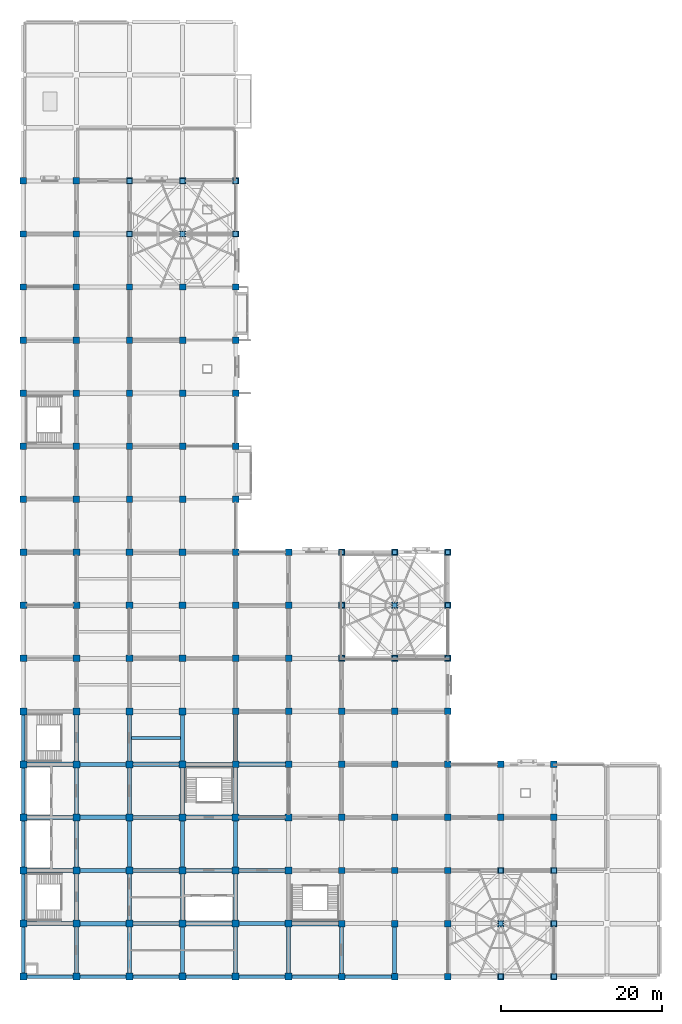
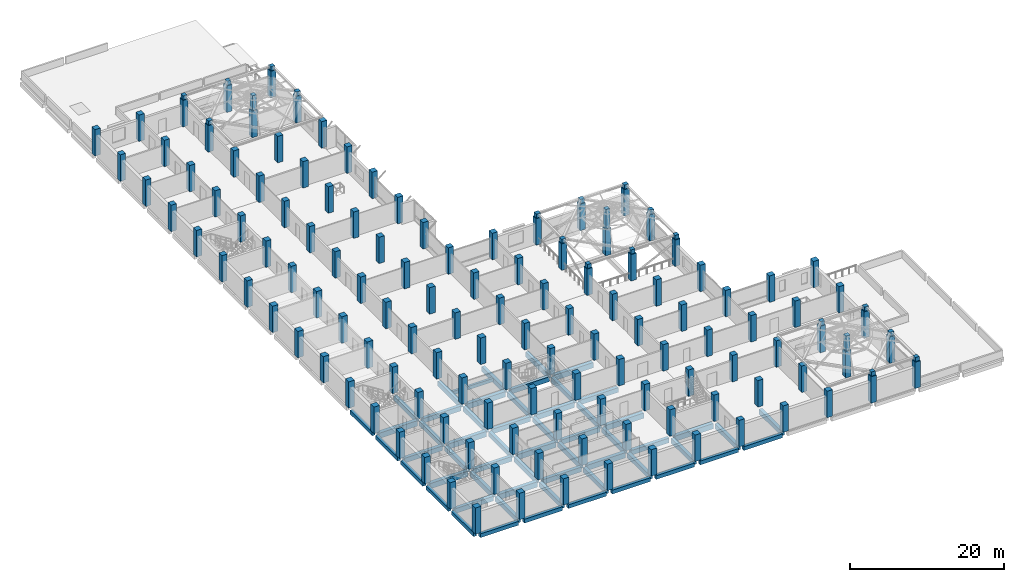
# One storey, part 1 of 25: 147 columns, 57 beams.
"""IFC4 building model written with IfcOpenShell, lengths in metres."""

from ifc_helpers import new_model, si_unit, direction, frame, origin, origin_2d, place, context, subcontext, project, spatial, rectangle, extrude, material, material_profile, profile_set, type_object, element, save


model = new_model("IFC4")

# Units and contexts
model_context = context("Model", 3, precision=1e-05, world=origin(), true_north=direction((0.0, 1.0)))
body_context = subcontext(model_context, "Body", "Model", "MODEL_VIEW")
ifc_project = project(units=[si_unit("LENGTHUNIT", "METRE"), si_unit("AREAUNIT", "SQUARE_METRE"), si_unit("VOLUMEUNIT", "CUBIC_METRE"), si_unit("PLANEANGLEUNIT", "RADIAN"), si_unit("MASSUNIT", "GRAM", prefix="KILO")], contexts=[model_context])

# Site, building, storey
site_placement = place(None, origin())
site = spatial("IfcSite", under=ifc_project, at=site_placement, CompositionType="ELEMENT")
building_placement = place(site_placement, origin())
building = spatial("IfcBuilding", under=site, at=building_placement, Name="Rusizi Kubbe Research Institute", CompositionType="ELEMENT")
storey_placement = place(building_placement, frame((0.0, 0.0, 14.39990234375)))
storey = spatial("IfcBuildingStorey", under=building, at=storey_placement, Name="L03", CompositionType="ELEMENT", Elevation=14.39990234375)

# Columns
ifc_material_1 = material(Name="Concrete C40/50", Category="concrete")
ifc_material_profile_1 = material_profile(ifc_material_1, rectangle(XDim=0.60009765625, YDim=0.60009765625, at=origin_2d()), Name="RC600x600")
ifc_profile_set_1 = profile_set([ifc_material_profile_1], Name="Concrete C40/50")
column_type_1 = type_object("IfcColumnType", Name="COL-600", PredefinedType="COLUMN", material=ifc_profile_set_1)
for number, where, z_axis, x_axis, name in (
    (1, (39.60009765625, 39.60009765625, 4.2001953125), (0.0, 0.0, 1.0), (1.0, 0.0, 0.0), "Kubbe Drum Pedestal Column DOME-ATR-01"),
    (2, (46.199951171875, 39.60009765625, 4.2001953125), (0.0, 0.0, 1.0), (1.0, 0.0, 0.0), "Kubbe Drum Pedestal Column DOME-ATR-02"),
    (3, (52.800048828125, 39.60009765625, 4.2001953125), (0.0, 0.0, 1.0), (1.0, 0.0, 0.0), "Kubbe Drum Pedestal Column DOME-ATR-03"),
    (4, (52.800048828125, 46.199951171875, 4.2001953125), (0.0, 0.0, 1.0), (1.0, 0.0, 0.0), "Kubbe Drum Pedestal Column DOME-ATR-04"),
    (5, (52.800048828125, 52.800048828125, 4.2001953125), (0.0, 0.0, 1.0), (1.0, 0.0, 0.0), "Kubbe Drum Pedestal Column DOME-ATR-05"),
    (6, (46.199951171875, 52.800048828125, 4.2001953125), (0.0, 0.0, 1.0), (1.0, 0.0, 0.0), "Kubbe Drum Pedestal Column DOME-ATR-06"),
    (7, (39.60009765625, 52.800048828125, 4.2001953125), (0.0, 0.0, 1.0), (1.0, 0.0, 0.0), "Kubbe Drum Pedestal Column DOME-ATR-07"),
    (8, (39.60009765625, 46.199951171875, 4.2001953125), (0.0, 0.0, 1.0), (1.0, 0.0, 0.0), "Kubbe Drum Pedestal Column DOME-ATR-08"),
):
    element("IfcColumn", number, at=place(storey_placement, frame(where, z_axis=z_axis, x_axis=x_axis)), inside=storey, type_object=column_type_1, Name=name, PredefinedType="COLUMN", context=body_context, shape_type="SweptSolid", body=[
        extrude(rectangle(XDim=0.60009765625, YDim=0.60009765625, at=origin_2d()), origin(), (0.0, 0.0, 1.0), 0.64990234375),
    ])
column_1_placement = place(storey_placement, frame((46.199951171875, 46.199951171875, 4.2001953125), z_axis=(0.0, 0.0, 1.0), x_axis=(1.0, 0.0, 0.0)))
element("IfcColumn", 9, at=column_1_placement, inside=storey, type_object=column_type_1, Name="Kubbe Central King-Post DOME-ATR", PredefinedType="COLUMN", context=body_context, shape_type="SweptSolid", body=[
    extrude(rectangle(XDim=0.60009765625, YDim=0.60009765625, at=origin_2d()), origin(), (0.0, 0.0, 1.0), 3.059814453125),
])
for number, where, z_axis, x_axis, name in (
    (10, (26.39990234375, 92.39990234375, 4.2001953125), (0.0, 0.0, 1.0), (1.0, 0.0, 0.0), "Kubbe Drum Pedestal Column DOME-NP1-04"),
    (11, (26.39990234375, 99.0, 4.2001953125), (0.0, 0.0, 1.0), (1.0, 0.0, 0.0), "Kubbe Drum Pedestal Column DOME-NP1-05"),
    (12, (19.800048828125, 99.0, 4.2001953125), (0.0, 0.0, 1.0), (1.0, 0.0, 0.0), "Kubbe Drum Pedestal Column DOME-NP1-06"),
    (13, (13.199951171875, 99.0, 4.2001953125), (0.0, 0.0, 1.0), (1.0, 0.0, 0.0), "Kubbe Drum Pedestal Column DOME-NP1-07"),
    (14, (13.199951171875, 92.39990234375, 4.2001953125), (0.0, 0.0, 1.0), (1.0, 0.0, 0.0), "Kubbe Drum Pedestal Column DOME-NP1-08"),
):
    element("IfcColumn", number, at=place(storey_placement, frame(where, z_axis=z_axis, x_axis=x_axis)), inside=storey, type_object=column_type_1, Name=name, PredefinedType="COLUMN", context=body_context, shape_type="SweptSolid", body=[
        extrude(rectangle(XDim=0.60009765625, YDim=0.60009765625, at=origin_2d()), origin(), (0.0, 0.0, 1.0), 0.64990234375),
    ])
column_2_placement = place(storey_placement, frame((19.800048828125, 92.39990234375, 4.2001953125), z_axis=(0.0, 0.0, 1.0), x_axis=(1.0, 0.0, 0.0)))
element("IfcColumn", 15, at=column_2_placement, inside=storey, type_object=column_type_1, Name="Kubbe Central King-Post DOME-NP1", PredefinedType="COLUMN", context=body_context, shape_type="SweptSolid", body=[
    extrude(rectangle(XDim=0.60009765625, YDim=0.60009765625, at=origin_2d()), origin(), (0.0, 0.0, 1.0), 2.35986328125),
])
for number, where, z_axis, x_axis, name in (
    (16, (59.39990234375, 0.0, 4.2001953125), (0.0, 0.0, 1.0), (1.0, 0.0, 0.0), "Kubbe Drum Pedestal Column DOME-EP1-02"),
    (17, (66.0, 0.0, 4.2001953125), (0.0, 0.0, 1.0), (1.0, 0.0, 0.0), "Kubbe Drum Pedestal Column DOME-EP1-03"),
    (18, (66.0, 6.60009765625, 4.2001953125), (0.0, 0.0, 1.0), (1.0, 0.0, 0.0), "Kubbe Drum Pedestal Column DOME-EP1-04"),
    (19, (66.0, 13.199951171875, 4.2001953125), (0.0, 0.0, 1.0), (1.0, 0.0, 0.0), "Kubbe Drum Pedestal Column DOME-EP1-05"),
    (20, (59.39990234375, 13.199951171875, 4.2001953125), (0.0, 0.0, 1.0), (1.0, 0.0, 0.0), "Kubbe Drum Pedestal Column DOME-EP1-06"),
):
    element("IfcColumn", number, at=place(storey_placement, frame(where, z_axis=z_axis, x_axis=x_axis)), inside=storey, type_object=column_type_1, Name=name, PredefinedType="COLUMN", context=body_context, shape_type="SweptSolid", body=[
        extrude(rectangle(XDim=0.60009765625, YDim=0.60009765625, at=origin_2d()), origin(), (0.0, 0.0, 1.0), 0.64990234375),
    ])
column_3_placement = place(storey_placement, frame((59.39990234375, 6.60009765625, 4.2001953125), z_axis=(0.0, 0.0, 1.0), x_axis=(1.0, 0.0, 0.0)))
element("IfcColumn", 21, at=column_3_placement, inside=storey, type_object=column_type_1, Name="Kubbe Central King-Post DOME-EP1", PredefinedType="COLUMN", context=body_context, shape_type="SweptSolid", body=[
    extrude(rectangle(XDim=0.60009765625, YDim=0.60009765625, at=origin_2d()), origin(), (0.0, 0.0, 1.0), 2.35986328125),
])
ifc_material_2 = material(Name="Concrete C45/55", Category="concrete")
ifc_material_profile_2 = material_profile(ifc_material_2, rectangle(XDim=0.800048828125, YDim=0.800048828125, at=origin_2d()), Name="RC800x800")
ifc_profile_set_2 = profile_set([ifc_material_profile_2], Name="Concrete C45/55")
column_type_2 = type_object("IfcColumnType", Name="COL-800", PredefinedType="COLUMN", material=ifc_profile_set_2)
for number, where, z_axis, x_axis, name in (
    (22, (0.0, 59.39990234375, 0.0), (0.0, 0.0, 1.0), (1.0, 0.0, 0.0), "Column 1K L03"),
    (23, (0.0, 66.0, 0.0), (0.0, 0.0, 1.0), (1.0, 0.0, 0.0), "Column 1L L03"),
    (24, (0.0, 72.60009765625, 0.0), (0.0, 0.0, 1.0), (1.0, 0.0, 0.0), "Column 1M L03"),
    (25, (0.0, 79.199951171875, 0.0), (0.0, 0.0, 1.0), (1.0, 0.0, 0.0), "Column 1N L03"),
    (26, (0.0, 85.800048828125, 0.0), (0.0, 0.0, 1.0), (1.0, 0.0, 0.0), "Column 1P L03"),
    (27, (0.0, 92.39990234375, 0.0), (0.0, 0.0, 1.0), (1.0, 0.0, 0.0), "Column 1Q L03"),
    (28, (0.0, 99.0, 0.0), (0.0, 0.0, 1.0), (1.0, 0.0, 0.0), "Column 1R L03"),
    (29, (6.60009765625, 59.39990234375, 0.0), (0.0, 0.0, 1.0), (1.0, 0.0, 0.0), "Column 2K L03"),
    (30, (6.60009765625, 66.0, 0.0), (0.0, 0.0, 1.0), (1.0, 0.0, 0.0), "Column 2L L03"),
    (31, (6.60009765625, 72.60009765625, 0.0), (0.0, 0.0, 1.0), (1.0, 0.0, 0.0), "Column 2M L03"),
    (32, (6.60009765625, 79.199951171875, 0.0), (0.0, 0.0, 1.0), (1.0, 0.0, 0.0), "Column 2N L03"),
    (33, (6.60009765625, 85.800048828125, 0.0), (0.0, 0.0, 1.0), (1.0, 0.0, 0.0), "Column 2P L03"),
    (34, (6.60009765625, 92.39990234375, 0.0), (0.0, 0.0, 1.0), (1.0, 0.0, 0.0), "Column 2Q L03"),
    (35, (6.60009765625, 99.0, 0.0), (0.0, 0.0, 1.0), (1.0, 0.0, 0.0), "Column 2R L03"),
    (36, (13.199951171875, 59.39990234375, 0.0), (0.0, 0.0, 1.0), (1.0, 0.0, 0.0), "Column 3K L03"),
    (37, (13.199951171875, 66.0, 0.0), (0.0, 0.0, 1.0), (1.0, 0.0, 0.0), "Column 3L L03"),
    (38, (13.199951171875, 72.60009765625, 0.0), (0.0, 0.0, 1.0), (1.0, 0.0, 0.0), "Column 3M L03"),
    (39, (13.199951171875, 79.199951171875, 0.0), (0.0, 0.0, 1.0), (1.0, 0.0, 0.0), "Column 3N L03"),
    (40, (13.199951171875, 85.800048828125, 0.0), (0.0, 0.0, 1.0), (1.0, 0.0, 0.0), "Column 3P L03"),
    (41, (13.199951171875, 92.39990234375, 0.0), (0.0, 0.0, 1.0), (1.0, 0.0, 0.0), "Column 3Q L03"),
    (42, (13.199951171875, 99.0, 0.0), (0.0, 0.0, 1.0), (1.0, 0.0, 0.0), "Column 3R L03"),
    (43, (19.800048828125, 59.39990234375, 0.0), (0.0, 0.0, 1.0), (1.0, 0.0, 0.0), "Column 4K L03"),
    (44, (19.800048828125, 66.0, 0.0), (0.0, 0.0, 1.0), (1.0, 0.0, 0.0), "Column 4L L03"),
    (45, (19.800048828125, 72.60009765625, 0.0), (0.0, 0.0, 1.0), (1.0, 0.0, 0.0), "Column 4M L03"),
    (46, (19.800048828125, 79.199951171875, 0.0), (0.0, 0.0, 1.0), (1.0, 0.0, 0.0), "Column 4N L03"),
    (47, (19.800048828125, 85.800048828125, 0.0), (0.0, 0.0, 1.0), (1.0, 0.0, 0.0), "Column 4P L03"),
    (48, (19.800048828125, 92.39990234375, 0.0), (0.0, 0.0, 1.0), (1.0, 0.0, 0.0), "Column 4Q L03"),
    (49, (19.800048828125, 99.0, 0.0), (0.0, 0.0, 1.0), (1.0, 0.0, 0.0), "Column 4R L03"),
    (50, (26.39990234375, 26.39990234375, 0.0), (0.0, 0.0, 1.0), (1.0, 0.0, 0.0), "Column 5E L03"),
    (51, (26.39990234375, 33.0, 0.0), (0.0, 0.0, 1.0), (1.0, 0.0, 0.0), "Column 5F L03"),
    (52, (26.39990234375, 39.60009765625, 0.0), (0.0, 0.0, 1.0), (1.0, 0.0, 0.0), "Column 5G L03"),
    (53, (26.39990234375, 46.199951171875, 0.0), (0.0, 0.0, 1.0), (1.0, 0.0, 0.0), "Column 5H L03"),
    (54, (26.39990234375, 52.800048828125, 0.0), (0.0, 0.0, 1.0), (1.0, 0.0, 0.0), "Column 5J L03"),
    (55, (26.39990234375, 59.39990234375, 0.0), (0.0, 0.0, 1.0), (1.0, 0.0, 0.0), "Column 5K L03"),
    (56, (26.39990234375, 66.0, 0.0), (0.0, 0.0, 1.0), (1.0, 0.0, 0.0), "Column 5L L03"),
    (57, (26.39990234375, 72.60009765625, 0.0), (0.0, 0.0, 1.0), (1.0, 0.0, 0.0), "Column 5M L03"),
    (58, (26.39990234375, 79.199951171875, 0.0), (0.0, 0.0, 1.0), (1.0, 0.0, 0.0), "Column 5N L03"),
    (59, (26.39990234375, 85.800048828125, 0.0), (0.0, 0.0, 1.0), (1.0, 0.0, 0.0), "Column 5P L03"),
    (60, (26.39990234375, 92.39990234375, 0.0), (0.0, 0.0, 1.0), (1.0, 0.0, 0.0), "Column 5Q L03"),
    (61, (26.39990234375, 99.0, 0.0), (0.0, 0.0, 1.0), (1.0, 0.0, 0.0), "Column 5R L03"),
    (62, (33.0, 26.39990234375, 0.0), (0.0, 0.0, 1.0), (1.0, 0.0, 0.0), "Column 6E L03"),
    (63, (33.0, 33.0, 0.0), (0.0, 0.0, 1.0), (1.0, 0.0, 0.0), "Column 6F L03"),
    (64, (33.0, 39.60009765625, 0.0), (0.0, 0.0, 1.0), (1.0, 0.0, 0.0), "Column 6G L03"),
    (65, (33.0, 46.199951171875, 0.0), (0.0, 0.0, 1.0), (1.0, 0.0, 0.0), "Column 6H L03"),
    (66, (33.0, 52.800048828125, 0.0), (0.0, 0.0, 1.0), (1.0, 0.0, 0.0), "Column 6J L03"),
    (67, (39.60009765625, 0.0, 0.0), (0.0, 0.0, 1.0), (1.0, 0.0, 0.0), "Column 7A L03"),
    (68, (39.60009765625, 6.60009765625, 0.0), (0.0, 0.0, 1.0), (1.0, 0.0, 0.0), "Column 7B L03"),
    (69, (39.60009765625, 13.199951171875, 0.0), (0.0, 0.0, 1.0), (1.0, 0.0, 0.0), "Column 7C L03"),
    (70, (39.60009765625, 19.800048828125, 0.0), (0.0, 0.0, 1.0), (1.0, 0.0, 0.0), "Column 7D L03"),
    (71, (39.60009765625, 26.39990234375, 0.0), (0.0, 0.0, 1.0), (1.0, 0.0, 0.0), "Column 7E L03"),
    (72, (39.60009765625, 33.0, 0.0), (0.0, 0.0, 1.0), (1.0, 0.0, 0.0), "Column 7F L03"),
    (73, (39.60009765625, 39.60009765625, 0.0), (0.0, 0.0, 1.0), (1.0, 0.0, 0.0), "Column 7G L03"),
    (74, (39.60009765625, 46.199951171875, 0.0), (0.0, 0.0, 1.0), (1.0, 0.0, 0.0), "Column 7H L03"),
    (75, (39.60009765625, 52.800048828125, 0.0), (0.0, 0.0, 1.0), (1.0, 0.0, 0.0), "Column 7J L03"),
    (76, (46.199951171875, 0.0, 0.0), (0.0, 0.0, 1.0), (1.0, 0.0, 0.0), "Column 8A L03"),
    (77, (46.199951171875, 6.60009765625, 0.0), (0.0, 0.0, 1.0), (1.0, 0.0, 0.0), "Column 8B L03"),
    (78, (46.199951171875, 13.199951171875, 0.0), (0.0, 0.0, 1.0), (1.0, 0.0, 0.0), "Column 8C L03"),
    (79, (46.199951171875, 19.800048828125, 0.0), (0.0, 0.0, 1.0), (1.0, 0.0, 0.0), "Column 8D L03"),
    (80, (46.199951171875, 26.39990234375, 0.0), (0.0, 0.0, 1.0), (1.0, 0.0, 0.0), "Column 8E L03"),
    (81, (46.199951171875, 33.0, 0.0), (0.0, 0.0, 1.0), (1.0, 0.0, 0.0), "Column 8F L03"),
    (82, (46.199951171875, 39.60009765625, 0.0), (0.0, 0.0, 1.0), (1.0, 0.0, 0.0), "Column 8G L03"),
    (83, (46.199951171875, 46.199951171875, 0.0), (0.0, 0.0, 1.0), (1.0, 0.0, 0.0), "Column 8H L03"),
    (84, (46.199951171875, 52.800048828125, 0.0), (0.0, 0.0, 1.0), (1.0, 0.0, 0.0), "Column 8J L03"),
    (85, (52.800048828125, 0.0, 0.0), (0.0, 0.0, 1.0), (1.0, 0.0, 0.0), "Column 9A L03"),
    (86, (52.800048828125, 6.60009765625, 0.0), (0.0, 0.0, 1.0), (1.0, 0.0, 0.0), "Column 9B L03"),
    (87, (52.800048828125, 13.199951171875, 0.0), (0.0, 0.0, 1.0), (1.0, 0.0, 0.0), "Column 9C L03"),
    (88, (52.800048828125, 19.800048828125, 0.0), (0.0, 0.0, 1.0), (1.0, 0.0, 0.0), "Column 9D L03"),
    (89, (52.800048828125, 26.39990234375, 0.0), (0.0, 0.0, 1.0), (1.0, 0.0, 0.0), "Column 9E L03"),
    (90, (52.800048828125, 33.0, 0.0), (0.0, 0.0, 1.0), (1.0, 0.0, 0.0), "Column 9F L03"),
    (91, (52.800048828125, 39.60009765625, 0.0), (0.0, 0.0, 1.0), (1.0, 0.0, 0.0), "Column 9G L03"),
    (92, (52.800048828125, 46.199951171875, 0.0), (0.0, 0.0, 1.0), (1.0, 0.0, 0.0), "Column 9H L03"),
    (93, (52.800048828125, 52.800048828125, 0.0), (0.0, 0.0, 1.0), (1.0, 0.0, 0.0), "Column 9J L03"),
    (94, (59.39990234375, 0.0, 0.0), (0.0, 0.0, 1.0), (1.0, 0.0, 0.0), "Column 10A L03"),
    (95, (59.39990234375, 6.60009765625, 0.0), (0.0, 0.0, 1.0), (1.0, 0.0, 0.0), "Column 10B L03"),
    (96, (59.39990234375, 13.199951171875, 0.0), (0.0, 0.0, 1.0), (1.0, 0.0, 0.0), "Column 10C L03"),
    (97, (59.39990234375, 19.800048828125, 0.0), (0.0, 0.0, 1.0), (1.0, 0.0, 0.0), "Column 10D L03"),
    (98, (59.39990234375, 26.39990234375, 0.0), (0.0, 0.0, 1.0), (1.0, 0.0, 0.0), "Column 10E L03"),
    (99, (66.0, 0.0, 0.0), (0.0, 0.0, 1.0), (1.0, 0.0, 0.0), "Column 11A L03"),
    (100, (66.0, 6.60009765625, 0.0), (0.0, 0.0, 1.0), (1.0, 0.0, 0.0), "Column 11B L03"),
    (101, (66.0, 13.199951171875, 0.0), (0.0, 0.0, 1.0), (1.0, 0.0, 0.0), "Column 11C L03"),
    (102, (66.0, 19.800048828125, 0.0), (0.0, 0.0, 1.0), (1.0, 0.0, 0.0), "Column 11D L03"),
    (103, (66.0, 26.39990234375, 0.0), (0.0, 0.0, 1.0), (1.0, 0.0, 0.0), "Column 11E L03"),
):
    element("IfcColumn", number, at=place(storey_placement, frame(where, z_axis=z_axis, x_axis=x_axis)), inside=storey, type_object=column_type_2, Name=name, PredefinedType="COLUMN", context=body_context, shape_type="SweptSolid", body=[
        extrude(rectangle(XDim=0.800048828125, YDim=0.800048828125, at=origin_2d()), origin(), (0.0, 0.0, 1.0), 4.2001953125),
    ])
ifc_material_3 = material(Name="Concrete C45/55", Category="concrete")
ifc_material_profile_3 = material_profile(ifc_material_3, rectangle(XDim=0.85009765625, YDim=0.85009765625, at=origin_2d()), Name="RC850x850")
ifc_profile_set_3 = profile_set([ifc_material_profile_3], Name="Concrete C45/55")
column_type_3 = type_object("IfcColumnType", Name="COL-850", PredefinedType="COLUMN", material=ifc_profile_set_3)
for number, where, z_axis, x_axis, name in (
    (104, (0.0, 0.0, 0.0), (0.0, 0.0, 1.0), (1.0, 0.0, 0.0), "Column 1A L03"),
    (105, (0.0, 6.60009765625, 0.0), (0.0, 0.0, 1.0), (1.0, 0.0, 0.0), "Column 1B L03"),
    (106, (0.0, 13.199951171875, 0.0), (0.0, 0.0, 1.0), (1.0, 0.0, 0.0), "Column 1C L03"),
    (107, (0.0, 19.800048828125, 0.0), (0.0, 0.0, 1.0), (1.0, 0.0, 0.0), "Column 1D L03"),
    (108, (0.0, 26.39990234375, 0.0), (0.0, 0.0, 1.0), (1.0, 0.0, 0.0), "Column 1E L03"),
    (109, (0.0, 33.0, 0.0), (0.0, 0.0, 1.0), (1.0, 0.0, 0.0), "Column 1F L03"),
    (110, (0.0, 39.60009765625, 0.0), (0.0, 0.0, 1.0), (1.0, 0.0, 0.0), "Column 1G L03"),
    (111, (0.0, 46.199951171875, 0.0), (0.0, 0.0, 1.0), (1.0, 0.0, 0.0), "Column 1H L03"),
    (112, (0.0, 52.800048828125, 0.0), (0.0, 0.0, 1.0), (1.0, 0.0, 0.0), "Column 1J L03"),
    (113, (6.60009765625, 0.0, 0.0), (0.0, 0.0, 1.0), (1.0, 0.0, 0.0), "Column 2A L03"),
    (114, (6.60009765625, 6.60009765625, 0.0), (0.0, 0.0, 1.0), (1.0, 0.0, 0.0), "Column 2B L03"),
    (115, (6.60009765625, 13.199951171875, 0.0), (0.0, 0.0, 1.0), (1.0, 0.0, 0.0), "Column 2C L03"),
    (116, (6.60009765625, 19.800048828125, 0.0), (0.0, 0.0, 1.0), (1.0, 0.0, 0.0), "Column 2D L03"),
    (117, (6.60009765625, 26.39990234375, 0.0), (0.0, 0.0, 1.0), (1.0, 0.0, 0.0), "Column 2E L03"),
    (118, (6.60009765625, 33.0, 0.0), (0.0, 0.0, 1.0), (1.0, 0.0, 0.0), "Column 2F L03"),
    (119, (6.60009765625, 39.60009765625, 0.0), (0.0, 0.0, 1.0), (1.0, 0.0, 0.0), "Column 2G L03"),
    (120, (6.60009765625, 46.199951171875, 0.0), (0.0, 0.0, 1.0), (1.0, 0.0, 0.0), "Column 2H L03"),
    (121, (6.60009765625, 52.800048828125, 0.0), (0.0, 0.0, 1.0), (1.0, 0.0, 0.0), "Column 2J L03"),
    (122, (13.199951171875, 0.0, 0.0), (0.0, 0.0, 1.0), (1.0, 0.0, 0.0), "Column 3A L03"),
    (123, (13.199951171875, 6.60009765625, 0.0), (0.0, 0.0, 1.0), (1.0, 0.0, 0.0), "Column 3B L03"),
    (124, (13.199951171875, 13.199951171875, 0.0), (0.0, 0.0, 1.0), (1.0, 0.0, 0.0), "Column 3C L03"),
    (125, (13.199951171875, 19.800048828125, 0.0), (0.0, 0.0, 1.0), (1.0, 0.0, 0.0), "Column 3D L03"),
    (126, (13.199951171875, 26.39990234375, 0.0), (0.0, 0.0, 1.0), (1.0, 0.0, 0.0), "Column 3E L03"),
    (127, (13.199951171875, 33.0, 0.0), (0.0, 0.0, 1.0), (1.0, 0.0, 0.0), "Column 3F L03"),
    (128, (13.199951171875, 39.60009765625, 0.0), (0.0, 0.0, 1.0), (1.0, 0.0, 0.0), "Column 3G L03"),
    (129, (13.199951171875, 46.199951171875, 0.0), (0.0, 0.0, 1.0), (1.0, 0.0, 0.0), "Column 3H L03"),
    (130, (13.199951171875, 52.800048828125, 0.0), (0.0, 0.0, 1.0), (1.0, 0.0, 0.0), "Column 3J L03"),
    (131, (19.800048828125, 0.0, 0.0), (0.0, 0.0, 1.0), (1.0, 0.0, 0.0), "Column 4A L03"),
    (132, (19.800048828125, 6.60009765625, 0.0), (0.0, 0.0, 1.0), (1.0, 0.0, 0.0), "Column 4B L03"),
    (133, (19.800048828125, 13.199951171875, 0.0), (0.0, 0.0, 1.0), (1.0, 0.0, 0.0), "Column 4C L03"),
    (134, (19.800048828125, 19.800048828125, 0.0), (0.0, 0.0, 1.0), (1.0, 0.0, 0.0), "Column 4D L03"),
    (135, (19.800048828125, 26.39990234375, 0.0), (0.0, 0.0, 1.0), (1.0, 0.0, 0.0), "Column 4E L03"),
    (136, (19.800048828125, 33.0, 0.0), (0.0, 0.0, 1.0), (1.0, 0.0, 0.0), "Column 4F L03"),
    (137, (19.800048828125, 39.60009765625, 0.0), (0.0, 0.0, 1.0), (1.0, 0.0, 0.0), "Column 4G L03"),
    (138, (19.800048828125, 46.199951171875, 0.0), (0.0, 0.0, 1.0), (1.0, 0.0, 0.0), "Column 4H L03"),
    (139, (19.800048828125, 52.800048828125, 0.0), (0.0, 0.0, 1.0), (1.0, 0.0, 0.0), "Column 4J L03"),
    (140, (26.39990234375, 0.0, 0.0), (0.0, 0.0, 1.0), (1.0, 0.0, 0.0), "Column 5A L03"),
    (141, (26.39990234375, 6.60009765625, 0.0), (0.0, 0.0, 1.0), (1.0, 0.0, 0.0), "Column 5B L03"),
    (142, (26.39990234375, 13.199951171875, 0.0), (0.0, 0.0, 1.0), (1.0, 0.0, 0.0), "Column 5C L03"),
    (143, (26.39990234375, 19.800048828125, 0.0), (0.0, 0.0, 1.0), (1.0, 0.0, 0.0), "Column 5D L03"),
    (144, (33.0, 0.0, 0.0), (0.0, 0.0, 1.0), (1.0, 0.0, 0.0), "Column 6A L03"),
    (145, (33.0, 6.60009765625, 0.0), (0.0, 0.0, 1.0), (1.0, 0.0, 0.0), "Column 6B L03"),
    (146, (33.0, 13.199951171875, 0.0), (0.0, 0.0, 1.0), (1.0, 0.0, 0.0), "Column 6C L03"),
    (147, (33.0, 19.800048828125, 0.0), (0.0, 0.0, 1.0), (1.0, 0.0, 0.0), "Column 6D L03"),
):
    element("IfcColumn", number, at=place(storey_placement, frame(where, z_axis=z_axis, x_axis=x_axis)), inside=storey, type_object=column_type_3, Name=name, PredefinedType="COLUMN", context=body_context, shape_type="SweptSolid", body=[
        extrude(rectangle(XDim=0.85009765625, YDim=0.85009765625, at=origin_2d()), origin(), (0.0, 0.0, 1.0), 4.2001953125),
    ])

# Beams
ifc_material_4 = material(Name="Concrete C40/50", Category="concrete")
ifc_material_profile_4 = material_profile(ifc_material_4, rectangle(XDim=0.35009765625, YDim=0.550048828125, at=origin_2d()), Name="RC350x550")
ifc_profile_set_4 = profile_set([ifc_material_profile_4], Name="Concrete C40/50")
beam_type_1 = type_object("IfcBeamType", Name="BM-RC350x550", PredefinedType="JOIST", material=ifc_profile_set_4)
beam_1_placement = place(storey_placement, frame((13.449951171875, 29.699951171875, -0.625), z_axis=(1.0, 0.0, 0.0), x_axis=(0.0, 1.0, 0.0)))
element("IfcBeam", 148, at=beam_1_placement, inside=storey, type_object=beam_type_1, Name="Lab Stiffener Joist L03 (2,4)", PredefinedType="JOIST", context=body_context, shape_type="SweptSolid", body=[
    extrude(rectangle(XDim=0.35009765625, YDim=0.550048828125, at=origin_2d()), origin(), (0.0, 0.0, 1.0), 6.10009765625),
])
ifc_material_5 = material(Name="Concrete C40/50", Category="concrete")
ifc_material_profile_5 = material_profile(ifc_material_5, rectangle(XDim=0.449951171875, YDim=0.60009765625, at=origin_2d()), Name="RC450x600")
ifc_profile_set_5 = profile_set([ifc_material_profile_5], Name="Concrete C40/50")
beam_type_2 = type_object("IfcBeamType", Name="BM-RC450x600", PredefinedType="SPANDREL", material=ifc_profile_set_5)
for number, where, z_axis, x_axis, name in (
    (149, (0.425048828125, 0.0, -0.64990234375), (1.0, 0.0, 0.0), (0.0, 1.0, 0.0), "Grid Beam H L03 (0,0)"),
    (150, (7.02490234375, 0.0, -0.64990234375), (1.0, 0.0, 0.0), (0.0, 1.0, 0.0), "Grid Beam H L03 (1,0)"),
    (151, (13.625, 0.0, -0.64990234375), (1.0, 0.0, 0.0), (0.0, 1.0, 0.0), "Grid Beam H L03 (2,0)"),
    (152, (20.22509765625, 0.0, -0.64990234375), (1.0, 0.0, 0.0), (0.0, 1.0, 0.0), "Grid Beam H L03 (3,0)"),
    (153, (26.824951171875, 0.0, -0.64990234375), (1.0, 0.0, 0.0), (0.0, 1.0, 0.0), "Grid Beam H L03 (4,0)"),
):
    element("IfcBeam", number, at=place(storey_placement, frame(where, z_axis=z_axis, x_axis=x_axis)), inside=storey, type_object=beam_type_2, Name=name, PredefinedType="SPANDREL", context=body_context, shape_type="SweptSolid", body=[
        extrude(rectangle(XDim=0.449951171875, YDim=0.60009765625, at=origin_2d()), origin(), (0.0, 0.0, 1.0), 5.75),
    ])
beam_2_placement = place(storey_placement, frame((33.425048828125, 0.0, -0.64990234375), z_axis=(1.0, 0.0, 0.0), x_axis=(0.0, 1.0, 0.0)))
element("IfcBeam", 154, at=beam_2_placement, inside=storey, type_object=beam_type_2, Name="Grid Beam H L03 (5,0)", PredefinedType="SPANDREL", context=body_context, shape_type="SweptSolid", body=[
    extrude(rectangle(XDim=0.449951171875, YDim=0.60009765625, at=origin_2d()), origin(), (0.0, 0.0, 1.0), 5.77490234375),
])
beam_3_placement = place(storey_placement, frame((40.0, 0.0, -0.64990234375), z_axis=(1.0, 0.0, 0.0), x_axis=(0.0, 1.0, 0.0)))
element("IfcBeam", 155, at=beam_3_placement, inside=storey, type_object=beam_type_2, Name="Grid Beam H L03 (6,0)", PredefinedType="SPANDREL", context=body_context, shape_type="SweptSolid", body=[
    extrude(rectangle(XDim=0.449951171875, YDim=0.60009765625, at=origin_2d()), origin(), (0.0, 0.0, 1.0), 5.800048828125),
])
for number, where, z_axis, x_axis, name in (
    (156, (0.0, 0.425048828125, -0.64990234375), (0.0, 1.0, 0.0), (-1.0, 0.0, 0.0), "Grid Beam V L03 (0,0)"),
    (157, (0.0, 7.02490234375, -0.64990234375), (0.0, 1.0, 0.0), (-1.0, 0.0, 0.0), "Grid Beam V L03 (0,1)"),
    (158, (0.0, 13.625, -0.64990234375), (0.0, 1.0, 0.0), (-1.0, 0.0, 0.0), "Grid Beam V L03 (0,2)"),
    (159, (0.0, 20.22509765625, -0.64990234375), (0.0, 1.0, 0.0), (-1.0, 0.0, 0.0), "Grid Beam V L03 (0,3)"),
    (160, (0.0, 26.824951171875, -0.64990234375), (0.0, 1.0, 0.0), (-1.0, 0.0, 0.0), "Grid Beam V L03 (0,4)"),
):
    element("IfcBeam", number, at=place(storey_placement, frame(where, z_axis=z_axis, x_axis=x_axis)), inside=storey, type_object=beam_type_2, Name=name, PredefinedType="SPANDREL", context=body_context, shape_type="SweptSolid", body=[
        extrude(rectangle(XDim=0.449951171875, YDim=0.60009765625, at=origin_2d()), origin(), (0.0, 0.0, 1.0), 5.75),
    ])
ifc_material_6 = material(Name="Concrete C45/55", Category="concrete")
ifc_material_profile_6 = material_profile(ifc_material_6, rectangle(XDim=0.5, YDim=0.75, at=origin_2d()), Name="RC500x750B")
ifc_profile_set_6 = profile_set([ifc_material_profile_6], Name="Concrete C45/55")
beam_type_3 = type_object("IfcBeamType", Name="BM-RC500x750", PredefinedType="BEAM", material=ifc_profile_set_6)
for number, where, z_axis, x_axis, name in (
    (161, (0.425048828125, 6.60009765625, -0.724853515625), (1.0, 0.0, 0.0), (0.0, 1.0, 0.0), "Grid Beam H L03 (0,1)"),
    (162, (0.425048828125, 19.800048828125, -0.724853515625), (1.0, 0.0, 0.0), (0.0, 1.0, 0.0), "Grid Beam H L03 (0,3)"),
    (163, (7.02490234375, 13.199951171875, -0.724853515625), (1.0, 0.0, 0.0), (0.0, 1.0, 0.0), "Grid Beam H L03 (1,2)"),
    (164, (7.02490234375, 26.39990234375, -0.724853515625), (1.0, 0.0, 0.0), (0.0, 1.0, 0.0), "Grid Beam H L03 (1,4)"),
    (165, (13.625, 6.60009765625, -0.724853515625), (1.0, 0.0, 0.0), (0.0, 1.0, 0.0), "Grid Beam H L03 (2,1)"),
    (166, (13.625, 19.800048828125, -0.724853515625), (1.0, 0.0, 0.0), (0.0, 1.0, 0.0), "Grid Beam H L03 (2,3)"),
    (167, (20.22509765625, 13.199951171875, -0.724853515625), (1.0, 0.0, 0.0), (0.0, 1.0, 0.0), "Grid Beam H L03 (3,2)"),
):
    element("IfcBeam", number, at=place(storey_placement, frame(where, z_axis=z_axis, x_axis=x_axis)), inside=storey, type_object=beam_type_3, Name=name, PredefinedType="BEAM", context=body_context, shape_type="SweptSolid", body=[
        extrude(rectangle(XDim=0.5, YDim=0.75, at=origin_2d()), origin(), (0.0, 0.0, 1.0), 5.75),
    ])
beam_4_placement = place(storey_placement, frame((20.22509765625, 26.39990234375, -0.724853515625), z_axis=(1.0, 0.0, 0.0), x_axis=(0.0, 1.0, 0.0)))
element("IfcBeam", 168, at=beam_4_placement, inside=storey, type_object=beam_type_3, Name="Grid Beam H L03 (3,4)", PredefinedType="BEAM", context=body_context, shape_type="SweptSolid", body=[
    extrude(rectangle(XDim=0.5, YDim=0.75, at=origin_2d()), origin(), (0.0, 0.0, 1.0), 5.77490234375),
])
for number, where, z_axis, x_axis, name in (
    (169, (26.824951171875, 6.60009765625, -0.724853515625), (1.0, 0.0, 0.0), (0.0, 1.0, 0.0), "Grid Beam H L03 (4,1)"),
    (170, (26.824951171875, 19.800048828125, -0.724853515625), (1.0, 0.0, 0.0), (0.0, 1.0, 0.0), "Grid Beam H L03 (4,3)"),
    (171, (6.60009765625, 0.425048828125, -0.724853515625), (0.0, 1.0, 0.0), (-1.0, 0.0, 0.0), "Grid Beam V L03 (1,0)"),
    (172, (6.60009765625, 7.02490234375, -0.724853515625), (0.0, 1.0, 0.0), (-1.0, 0.0, 0.0), "Grid Beam V L03 (1,1)"),
    (173, (6.60009765625, 13.625, -0.724853515625), (0.0, 1.0, 0.0), (-1.0, 0.0, 0.0), "Grid Beam V L03 (1,2)"),
    (174, (6.60009765625, 20.22509765625, -0.724853515625), (0.0, 1.0, 0.0), (-1.0, 0.0, 0.0), "Grid Beam V L03 (1,3)"),
    (175, (6.60009765625, 26.824951171875, -0.724853515625), (0.0, 1.0, 0.0), (-1.0, 0.0, 0.0), "Grid Beam V L03 (1,4)"),
    (176, (13.199951171875, 0.425048828125, -0.724853515625), (0.0, 1.0, 0.0), (-1.0, 0.0, 0.0), "Grid Beam V L03 (2,0)"),
    (177, (13.199951171875, 7.02490234375, -0.724853515625), (0.0, 1.0, 0.0), (-1.0, 0.0, 0.0), "Grid Beam V L03 (2,1)"),
    (178, (13.199951171875, 13.625, -0.724853515625), (0.0, 1.0, 0.0), (-1.0, 0.0, 0.0), "Grid Beam V L03 (2,2)"),
    (179, (13.199951171875, 20.22509765625, -0.724853515625), (0.0, 1.0, 0.0), (-1.0, 0.0, 0.0), "Grid Beam V L03 (2,3)"),
    (180, (13.199951171875, 26.824951171875, -0.724853515625), (0.0, 1.0, 0.0), (-1.0, 0.0, 0.0), "Grid Beam V L03 (2,4)"),
    (181, (19.800048828125, 0.425048828125, -0.724853515625), (0.0, 1.0, 0.0), (-1.0, 0.0, 0.0), "Grid Beam V L03 (3,0)"),
    (182, (19.800048828125, 7.02490234375, -0.724853515625), (0.0, 1.0, 0.0), (-1.0, 0.0, 0.0), "Grid Beam V L03 (3,1)"),
    (183, (19.800048828125, 13.625, -0.724853515625), (0.0, 1.0, 0.0), (-1.0, 0.0, 0.0), "Grid Beam V L03 (3,2)"),
    (184, (19.800048828125, 20.22509765625, -0.724853515625), (0.0, 1.0, 0.0), (-1.0, 0.0, 0.0), "Grid Beam V L03 (3,3)"),
    (185, (19.800048828125, 26.824951171875, -0.724853515625), (0.0, 1.0, 0.0), (-1.0, 0.0, 0.0), "Grid Beam V L03 (3,4)"),
    (186, (26.39990234375, 0.425048828125, -0.724853515625), (0.0, 1.0, 0.0), (-1.0, 0.0, 0.0), "Grid Beam V L03 (4,0)"),
    (187, (26.39990234375, 7.02490234375, -0.724853515625), (0.0, 1.0, 0.0), (-1.0, 0.0, 0.0), "Grid Beam V L03 (4,1)"),
    (188, (26.39990234375, 13.625, -0.724853515625), (0.0, 1.0, 0.0), (-1.0, 0.0, 0.0), "Grid Beam V L03 (4,2)"),
):
    element("IfcBeam", number, at=place(storey_placement, frame(where, z_axis=z_axis, x_axis=x_axis)), inside=storey, type_object=beam_type_3, Name=name, PredefinedType="BEAM", context=body_context, shape_type="SweptSolid", body=[
        extrude(rectangle(XDim=0.5, YDim=0.75, at=origin_2d()), origin(), (0.0, 0.0, 1.0), 5.75),
    ])
beam_5_placement = place(storey_placement, frame((26.39990234375, 20.22509765625, -0.724853515625), z_axis=(0.0, 1.0, 0.0), x_axis=(-1.0, 0.0, 0.0)))
element("IfcBeam", 189, at=beam_5_placement, inside=storey, type_object=beam_type_3, Name="Grid Beam V L03 (4,3)", PredefinedType="BEAM", context=body_context, shape_type="SweptSolid", body=[
    extrude(rectangle(XDim=0.5, YDim=0.75, at=origin_2d()), origin(), (0.0, 0.0, 1.0), 5.77490234375),
])
beam_6_placement = place(storey_placement, frame((26.39990234375, 26.800048828125, -0.724853515625), z_axis=(0.0, 1.0, 0.0), x_axis=(-1.0, 0.0, 0.0)))
element("IfcBeam", 190, at=beam_6_placement, inside=storey, type_object=beam_type_3, Name="Grid Beam V L03 (4,4)", PredefinedType="BEAM", context=body_context, shape_type="SweptSolid", body=[
    extrude(rectangle(XDim=0.5, YDim=0.75, at=origin_2d()), origin(), (0.0, 0.0, 1.0), 5.800048828125),
])
beam_7_placement = place(storey_placement, frame((33.0, 0.425048828125, -0.724853515625), z_axis=(0.0, 1.0, 0.0), x_axis=(-1.0, 0.0, 0.0)))
element("IfcBeam", 191, at=beam_7_placement, inside=storey, type_object=beam_type_3, Name="Grid Beam V L03 (5,0)", PredefinedType="BEAM", context=body_context, shape_type="SweptSolid", body=[
    extrude(rectangle(XDim=0.5, YDim=0.75, at=origin_2d()), origin(), (0.0, 0.0, 1.0), 5.75),
])
for number, where, z_axis, x_axis, name in (
    (192, (39.60009765625, 0.39990234375, -0.724853515625), (0.0, 1.0, 0.0), (-1.0, 0.0, 0.0), "Grid Beam V L03 (6,0)"),
    (193, (46.199951171875, 0.39990234375, -0.724853515625), (0.0, 1.0, 0.0), (-1.0, 0.0, 0.0), "Grid Beam V L03 (7,0)"),
):
    element("IfcBeam", number, at=place(storey_placement, frame(where, z_axis=z_axis, x_axis=x_axis)), inside=storey, type_object=beam_type_3, Name=name, PredefinedType="BEAM", context=body_context, shape_type="SweptSolid", body=[
        extrude(rectangle(XDim=0.5, YDim=0.75, at=origin_2d()), origin(), (0.0, 0.0, 1.0), 5.800048828125),
    ])
ifc_material_7 = material(Name="Concrete C45/55", Category="concrete")
ifc_material_profile_7 = material_profile(ifc_material_7, rectangle(XDim=0.550048828125, YDim=0.85009765625, at=origin_2d()), Name="RC550x850")
ifc_profile_set_7 = profile_set([ifc_material_profile_7], Name="Concrete C45/55")
beam_type_4 = type_object("IfcBeamType", Name="BM-RC550x850", PredefinedType="BEAM", material=ifc_profile_set_7)
for number, where, z_axis, x_axis, name in (
    (194, (0.425048828125, 13.199951171875, -0.77490234375), (1.0, 0.0, 0.0), (0.0, 1.0, 0.0), "Grid Beam H L03 (0,2)"),
    (195, (0.425048828125, 26.39990234375, -0.77490234375), (1.0, 0.0, 0.0), (0.0, 1.0, 0.0), "Grid Beam H L03 (0,4)"),
    (196, (7.02490234375, 6.60009765625, -0.77490234375), (1.0, 0.0, 0.0), (0.0, 1.0, 0.0), "Grid Beam H L03 (1,1)"),
    (197, (7.02490234375, 19.800048828125, -0.77490234375), (1.0, 0.0, 0.0), (0.0, 1.0, 0.0), "Grid Beam H L03 (1,3)"),
    (198, (13.625, 13.199951171875, -0.77490234375), (1.0, 0.0, 0.0), (0.0, 1.0, 0.0), "Grid Beam H L03 (2,2)"),
    (199, (13.625, 26.39990234375, -0.77490234375), (1.0, 0.0, 0.0), (0.0, 1.0, 0.0), "Grid Beam H L03 (2,4)"),
    (200, (20.22509765625, 6.60009765625, -0.77490234375), (1.0, 0.0, 0.0), (0.0, 1.0, 0.0), "Grid Beam H L03 (3,1)"),
    (201, (20.22509765625, 19.800048828125, -0.77490234375), (1.0, 0.0, 0.0), (0.0, 1.0, 0.0), "Grid Beam H L03 (3,3)"),
    (202, (26.824951171875, 13.199951171875, -0.77490234375), (1.0, 0.0, 0.0), (0.0, 1.0, 0.0), "Grid Beam H L03 (4,2)"),
):
    element("IfcBeam", number, at=place(storey_placement, frame(where, z_axis=z_axis, x_axis=x_axis)), inside=storey, type_object=beam_type_4, Name=name, PredefinedType="BEAM", context=body_context, shape_type="SweptSolid", body=[
        extrude(rectangle(XDim=0.550048828125, YDim=0.85009765625, at=origin_2d()), origin(), (0.0, 0.0, 1.0), 5.75),
    ])
beam_8_placement = place(storey_placement, frame((26.800048828125, 26.39990234375, -0.77490234375), z_axis=(1.0, 0.0, 0.0), x_axis=(0.0, 1.0, 0.0)))
element("IfcBeam", 203, at=beam_8_placement, inside=storey, type_object=beam_type_4, Name="Grid Beam H L03 (4,4)", PredefinedType="BEAM", context=body_context, shape_type="SweptSolid", body=[
    extrude(rectangle(XDim=0.550048828125, YDim=0.85009765625, at=origin_2d()), origin(), (0.0, 0.0, 1.0), 5.800048828125),
])
beam_9_placement = place(storey_placement, frame((33.425048828125, 6.60009765625, -0.77490234375), z_axis=(1.0, 0.0, 0.0), x_axis=(0.0, 1.0, 0.0)))
element("IfcBeam", 204, at=beam_9_placement, inside=storey, type_object=beam_type_4, Name="Grid Beam H L03 (5,1)", PredefinedType="BEAM", context=body_context, shape_type="SweptSolid", body=[
    extrude(rectangle(XDim=0.550048828125, YDim=0.85009765625, at=origin_2d()), origin(), (0.0, 0.0, 1.0), 5.77490234375),
])

save(model, "model.ifc")
